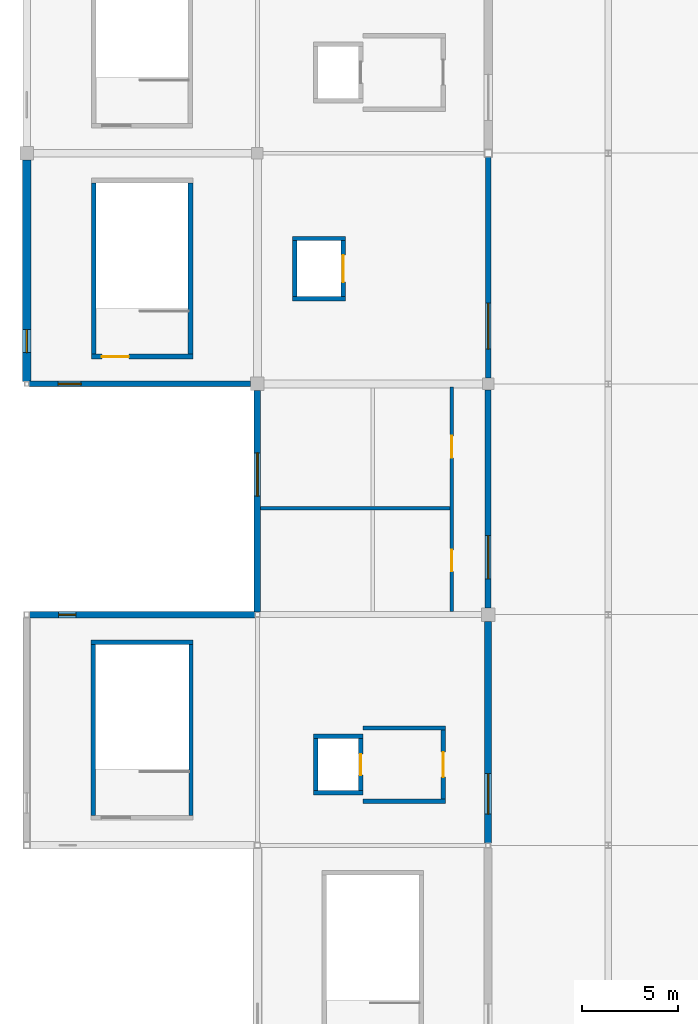
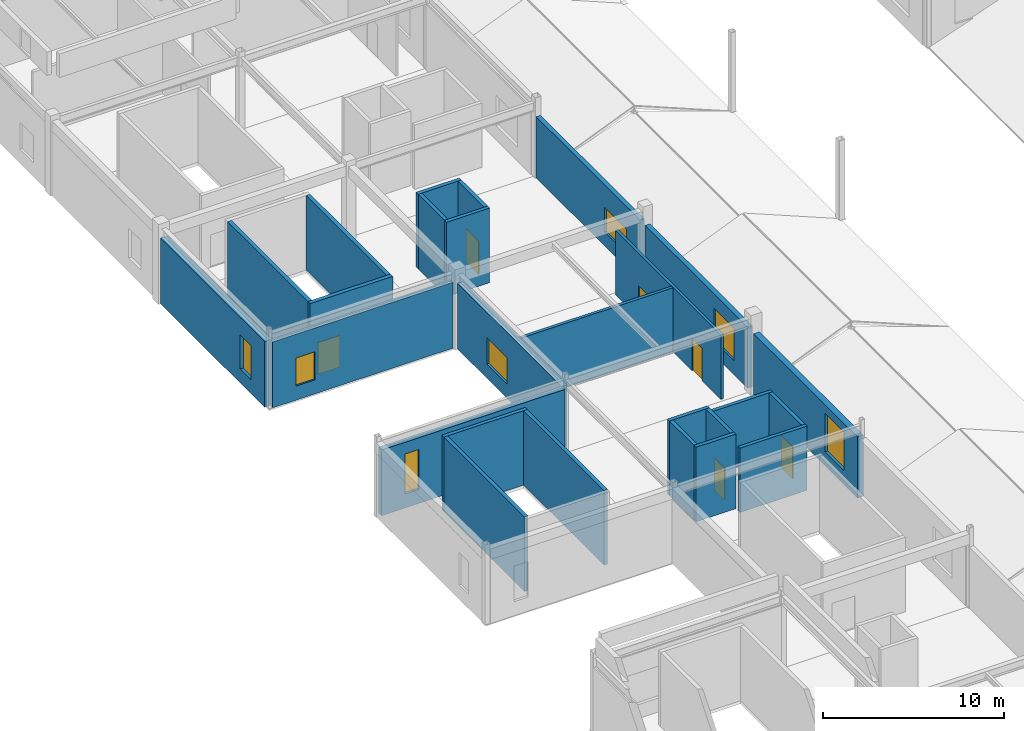
# One storey, part 65 of 76: 26 walls, 7 windows, 6 doors, 13 openings.
"""IFC4 building model written with IfcOpenShell, lengths in metres."""

from ifc_helpers import new_model, si_unit, direction, frame, frame_2d, origin, place, context, subcontext, project, spatial, rectangle, extrude, material, layer, layer_set, type_object, element, fill, save


model = new_model("IFC4")

# Units and contexts
model_context = context("Model", 3, precision=1e-05, world=origin(), true_north=direction((0.0, 1.0)))
body_context = subcontext(model_context, "Body", "Model", "MODEL_VIEW")
ifc_project = project(units=[si_unit("LENGTHUNIT", "METRE"), si_unit("AREAUNIT", "SQUARE_METRE"), si_unit("VOLUMEUNIT", "CUBIC_METRE"), si_unit("PLANEANGLEUNIT", "RADIAN"), si_unit("MASSUNIT", "GRAM", prefix="KILO")], contexts=[model_context])

# Site, building, storey
site_placement = place(None, origin())
site = spatial("IfcSite", under=ifc_project, at=site_placement, CompositionType="ELEMENT")
building_placement = place(site_placement, origin())
building = spatial("IfcBuilding", under=site, at=building_placement, Name="Kazenohara Klinker Stadium", CompositionType="ELEMENT")
storey_placement = place(building_placement, frame((0.0, 0.0, 25.800048828125)))
storey = spatial("IfcBuildingStorey", under=building, at=storey_placement, Name="L05", CompositionType="ELEMENT", Elevation=25.800048828125)

# Walls
ifc_material_1 = material(Name="Concrete C40/50", Category="concrete")
ifc_layer_1 = layer(ifc_material_1, 0.22998046875)
ifc_layer_set_1 = layer_set([ifc_layer_1], Name="Concrete C40/50")
wall_type_1 = type_object("IfcWallType", Name="WAL-CORE-230", PredefinedType="SHEAR", material=ifc_layer_set_1)
wall_1_placement = place(storey_placement, frame((3.340087890625, 118.56494140625, 0.0), z_axis=(0.0, 0.0, 1.0), x_axis=(1.0, 0.0, 0.0)))
element("IfcWall", 1, at=wall_1_placement, inside=storey, type_object=wall_type_1, Name="Stairwell shear wall ST04 L05 North", PredefinedType="SHEAR", context=body_context, shape_type="SweptSolid", body=[
    extrude(rectangle(XDim=5.31982421875, YDim=0.22998046875, at=frame_2d((2.659912109375, 0.0))), origin(), (0.0, 0.0, 1.0), 5.0400390625),
])
for number, where, z_axis, x_axis, name in (
    (2, (3.455078125, 109.550048828125, 0.0), (0.0, 0.0, 1.0), (0.0, 1.0, 0.0), "Stairwell shear wall ST04 L05 West"),
    (3, (8.544921875, 109.550048828125, 0.0), (0.0, 0.0, 1.0), (0.0, 1.0, 0.0), "Stairwell shear wall ST04 L05 East"),
):
    element("IfcWall", number, at=place(storey_placement, frame(where, z_axis=z_axis, x_axis=x_axis)), inside=storey, type_object=wall_type_1, Name=name, PredefinedType="SHEAR", context=body_context, shape_type="SweptSolid", body=[
        extrude(rectangle(XDim=8.89990234375, YDim=0.22998046875, at=frame_2d((4.449951171875, 0.0))), origin(), (0.0, 0.0, 1.0), 5.0400390625),
    ])
for number, where, z_axis, x_axis, name in (
    (4, (14.919921875, 110.735107421875, 0.0), (0.0, 0.0, 1.0), (1.0, 0.0, 0.0), "Elevator shaft wall LF02 L05 South"),
    (5, (14.919921875, 113.6650390625, 0.0), (0.0, 0.0, 1.0), (1.0, 0.0, 0.0), "Elevator shaft wall LF02 L05 North"),
):
    element("IfcWall", number, at=place(storey_placement, frame(where, z_axis=z_axis, x_axis=x_axis)), inside=storey, type_object=wall_type_1, Name=name, PredefinedType="SHEAR", context=body_context, shape_type="SweptSolid", body=[
        extrude(rectangle(XDim=2.56005859375, YDim=0.22998046875, at=frame_2d((1.280029296875, 0.0))), origin(), (0.0, 0.0, 1.0), 5.0400390625),
    ])
wall_2_placement = place(storey_placement, frame((15.034912109375, 110.85009765625, 0.0), z_axis=(0.0, 0.0, 1.0), x_axis=(0.0, 1.0, 0.0)))
element("IfcWall", 6, at=wall_2_placement, inside=storey, type_object=wall_type_1, Name="Elevator shaft wall LF02 L05 West", PredefinedType="SHEAR", context=body_context, shape_type="SweptSolid", body=[
    extrude(rectangle(XDim=2.699951171875, YDim=0.22998046875, at=frame_2d((1.35009765625, 0.0))), origin(), (0.0, 0.0, 1.0), 5.0400390625),
])

# Wall, opening, door
wall_3_placement = place(storey_placement, frame((17.364990234375, 110.85009765625, 0.0), z_axis=(0.0, 0.0, 1.0), x_axis=(0.0, 1.0, 0.0)))
wall_3 = element("IfcWall", 7, at=wall_3_placement, inside=storey, type_object=wall_type_1, Name="Elevator shaft wall LF02 L05 East", PredefinedType="SHEAR", context=body_context, shape_type="SweptSolid", body=[
    extrude(rectangle(XDim=2.699951171875, YDim=0.22998046875, at=frame_2d((1.35009765625, 0.0))), origin(), (0.0, 0.0, 1.0), 5.0400390625),
])
opening_1_placement = place(wall_3_placement, frame((0.800048828125, 0.0, 0.0)))
opening_1 = element("IfcOpeningElement", 8, at=opening_1_placement, cuts=wall_3, Name="Opening LD01", PredefinedType="OPENING", context=body_context, shape_type="SweptSolid", body=[
    extrude(rectangle(XDim=1.10009765625, YDim=2.14990234375, at=frame_2d((0.550048828125, 1.074951171875))), frame((0.0, 0.125, 0.0), z_axis=(0.0, -1.0, 0.0), x_axis=(1.0, 0.0, 0.0)), (0.0, 0.0, 1.0), 0.25),
])
ifc_material_2 = material(Name="Stainless steel fire-rated sliding landing door", Category="steel")
door_type_1 = type_object("IfcDoorType", Name="DR-LD01-1100x2150", OperationType="NOTDEFINED", PredefinedType="DOOR", material=ifc_material_2)
door_1_placement = place(opening_1_placement, origin())
door_1 = element("IfcDoor", 9, at=door_1_placement, inside=storey, type_object=door_type_1, Name="Elevator sliding landing door LF02-L05", OperationType="DOUBLE_DOOR_SLIDING", OverallHeight=2.14990234375, OverallWidth=1.10009765625, PredefinedType="DOOR", context=body_context, shape_type="SweptSolid", body=[
    extrude(rectangle(XDim=1.10009765625, YDim=2.14990234375, at=frame_2d((0.550048828125, 1.074951171875))), frame((0.0, 0.02490234375, 0.0), z_axis=(0.0, -1.0, 0.0), x_axis=(1.0, 0.0, 0.0)), (0.0, 0.0, 1.0), 0.050048828125),
])
fill(opening_1, door_1)

# Walls
for number, where, z_axis, x_axis, name in (
    (10, (13.820068359375, 136.43505859375, 0.0), (0.0, 0.0, 1.0), (1.0, 0.0, 0.0), "Elevator shaft wall LG01 L05 South"),
    (11, (13.820068359375, 139.56494140625, 0.0), (0.0, 0.0, 1.0), (1.0, 0.0, 0.0), "Elevator shaft wall LG01 L05 North"),
):
    element("IfcWall", number, at=place(storey_placement, frame(where, z_axis=z_axis, x_axis=x_axis)), inside=storey, type_object=wall_type_1, Name=name, PredefinedType="SHEAR", context=body_context, shape_type="SweptSolid", body=[
        extrude(rectangle(XDim=2.760009765625, YDim=0.22998046875, at=frame_2d((1.3798828125, 0.0))), origin(), (0.0, 0.0, 1.0), 5.0400390625),
    ])
wall_4_placement = place(storey_placement, frame((13.93505859375, 136.550048828125, 0.0), z_axis=(0.0, 0.0, 1.0), x_axis=(0.0, 1.0, 0.0)))
element("IfcWall", 12, at=wall_4_placement, inside=storey, type_object=wall_type_1, Name="Elevator shaft wall LG01 L05 West", PredefinedType="SHEAR", context=body_context, shape_type="SweptSolid", body=[
    extrude(rectangle(XDim=2.89990234375, YDim=0.22998046875, at=frame_2d((1.449951171875, 0.0))), origin(), (0.0, 0.0, 1.0), 5.0400390625),
])

# Wall, opening, door
wall_5_placement = place(storey_placement, frame((16.465087890625, 136.550048828125, 0.0), z_axis=(0.0, 0.0, 1.0), x_axis=(0.0, 1.0, 0.0)))
wall_5 = element("IfcWall", 13, at=wall_5_placement, inside=storey, type_object=wall_type_1, Name="Elevator shaft wall LG01 L05 East", PredefinedType="SHEAR", context=body_context, shape_type="SweptSolid", body=[
    extrude(rectangle(XDim=2.89990234375, YDim=0.22998046875, at=frame_2d((1.449951171875, 0.0))), origin(), (0.0, 0.0, 1.0), 5.0400390625),
])
opening_2_placement = place(wall_5_placement, frame((0.75, 0.0, 0.0)))
opening_2 = element("IfcOpeningElement", 14, at=opening_2_placement, cuts=wall_5, Name="Opening LD03", PredefinedType="OPENING", context=body_context, shape_type="SweptSolid", body=[
    extrude(rectangle(XDim=1.39990234375, YDim=2.25, at=frame_2d((0.699951171875, 1.125))), frame((0.0, 0.125, 0.0), z_axis=(0.0, -1.0, 0.0), x_axis=(1.0, 0.0, 0.0)), (0.0, 0.0, 1.0), 0.25),
])
ifc_material_3 = material(Name="Heavy-duty stainless steel sliding goods landing door", Category="steel")
door_type_2 = type_object("IfcDoorType", Name="DR-LD03-1400x2250", OperationType="NOTDEFINED", PredefinedType="DOOR", material=ifc_material_3)
door_2_placement = place(opening_2_placement, origin())
door_2 = element("IfcDoor", 15, at=door_2_placement, inside=storey, type_object=door_type_2, Name="Elevator sliding landing door LG01-L05", OperationType="DOUBLE_DOOR_SLIDING", OverallHeight=2.25, OverallWidth=1.39990234375, PredefinedType="DOOR", context=body_context, shape_type="SweptSolid", body=[
    extrude(rectangle(XDim=1.39990234375, YDim=2.25, at=frame_2d((0.699951171875, 1.125))), frame((0.0, 0.02490234375, 0.0), z_axis=(0.0, -1.0, 0.0), x_axis=(1.0, 0.0, 0.0)), (0.0, 0.0, 1.0), 0.050048828125),
])
fill(opening_2, door_2)

ifc_layer_2 = layer(ifc_material_1, 0.25)
ifc_layer_set_2 = layer_set([ifc_layer_2], Name="Concrete C40/50")
wall_type_2 = type_object("IfcWallType", Name="WAL-CORE-250", PredefinedType="SHEAR", material=ifc_layer_set_2)
wall_6_placement = place(storey_placement, frame((3.360107421875, 133.425048828125, 0.0), z_axis=(0.0, 0.0, 1.0), x_axis=(1.0, 0.0, 0.0)))
wall_6 = element("IfcWall", 16, at=wall_6_placement, inside=storey, type_object=wall_type_2, Name="Stairwell shear wall ST05 L05 South", PredefinedType="SHEAR", context=body_context, shape_type="SweptSolid", body=[
    extrude(rectangle(XDim=5.27978515625, YDim=0.25, at=frame_2d((2.639892578125, 0.0))), origin(), (0.0, 0.0, 1.0), 5.0400390625),
])
opening_3_placement = place(wall_6_placement, frame((0.550048828125, 0.0, 0.0)))
opening_3 = element("IfcOpeningElement", 17, at=opening_3_placement, cuts=wall_6, Name="Opening SD01", PredefinedType="OPENING", context=body_context, shape_type="SweptSolid", body=[
    extrude(rectangle(XDim=1.39990234375, YDim=2.14990234375, at=frame_2d((0.699951171875, 1.074951171875))), frame((0.0, 0.135009765625, 0.0), z_axis=(0.0, -1.0, 0.0), x_axis=(1.0, 0.0, 0.0)), (0.0, 0.0, 1.0), 0.27001953125),
])
ifc_material_4 = material(Name="Flush painted steel fire door leaf", Category="steel")
door_type_3 = type_object("IfcDoorType", Name="DR-STR-1400x2150", OperationType="NOTDEFINED", PredefinedType="DOOR", material=ifc_material_4)
door_3_placement = place(opening_3_placement, origin())
door_3 = element("IfcDoor", 18, at=door_3_placement, inside=storey, type_object=door_type_3, Name="Escape stairwell fire door ST05-L05", OperationType="SINGLE_SWING_LEFT", OverallHeight=2.14990234375, OverallWidth=1.39990234375, PredefinedType="DOOR", context=body_context, shape_type="SweptSolid", body=[
    extrude(rectangle(XDim=1.39990234375, YDim=2.14990234375, at=frame_2d((0.699951171875, 1.074951171875))), frame((0.0, 0.02490234375, 0.0), z_axis=(0.0, -1.0, 0.0), x_axis=(1.0, 0.0, 0.0)), (0.0, 0.0, 1.0), 0.050048828125),
])
fill(opening_3, door_3)

# Walls
for number, where, z_axis, x_axis, name in (
    (19, (3.485107421875, 133.550048828125, 0.0), (0.0, 0.0, 1.0), (0.0, 1.0, 0.0), "Stairwell shear wall ST05 L05 West"),
    (20, (8.514892578125, 133.550048828125, 0.0), (0.0, 0.0, 1.0), (0.0, 1.0, 0.0), "Stairwell shear wall ST05 L05 East"),
):
    element("IfcWall", number, at=place(storey_placement, frame(where, z_axis=z_axis, x_axis=x_axis)), inside=storey, type_object=wall_type_2, Name=name, PredefinedType="SHEAR", context=body_context, shape_type="SweptSolid", body=[
        extrude(rectangle(XDim=8.89990234375, YDim=0.25, at=frame_2d((4.449951171875, 0.0))), origin(), (0.0, 0.0, 1.0), 5.0400390625),
    ])

# Wall, opening, window
ifc_material_5 = material(Name="Clinker brick masonry", Category="masonry")
ifc_layer_3 = layer(ifc_material_5, 0.280029296875)
ifc_layer_set_3 = layer_set([ifc_layer_3], Name="Clinker brick masonry")
wall_type_3 = type_object("IfcWallType", Name="WAL-EXT-CB280", PredefinedType="SOLIDWALL", material=ifc_layer_set_3)
wall_7_placement = place(storey_placement, frame((0.12890625, 132.0, 0.0), z_axis=(0.0, 0.0, 1.0), x_axis=(1.0, 0.0, 0.0)))
wall_7 = element("IfcWall", 21, at=wall_7_placement, inside=storey, type_object=wall_type_3, Name="Clinker brick cavity wall EW06 L05 X0-11", PredefinedType="SOLIDWALL", context=body_context, shape_type="SweptSolid", body=[
    extrude(rectangle(XDim=11.51708984375, YDim=0.280029296875, at=frame_2d((5.758544921875, 0.0))), origin(), (0.0, 0.0, 1.0), 4.451904296875),
])
opening_4_placement = place(wall_7_placement, frame((1.5, 0.0, 0.949951171875)))
opening_4 = element("IfcOpeningElement", 22, at=opening_4_placement, cuts=wall_7, Name="Opening W05", PredefinedType="OPENING", context=body_context, shape_type="SweptSolid", body=[
    extrude(rectangle(XDim=1.199951171875, YDim=1.89990234375, at=frame_2d((0.60009765625, 0.949951171875))), frame((0.0, 0.14990234375, 0.0), z_axis=(0.0, -1.0, 0.0), x_axis=(1.0, 0.0, 0.0)), (0.0, 0.0, 1.0), 0.300048828125),
])
ifc_material_6 = material(Name="Dark bronze aluminium frame and triple glazing", Category="aluminium")
window_type_1 = type_object("IfcWindowType", Name="WIN-AS-05", PartitioningType="SINGLE_PANEL", PredefinedType="WINDOW", material=ifc_material_6)
window_1_placement = place(opening_4_placement, origin())
window_1 = element("IfcWindow", 23, at=window_1_placement, inside=storey, type_object=window_type_1, Name="Horizontal-mullion ladder window W05 L05 X0-11", OverallHeight=1.89990234375, OverallWidth=1.199951171875, PartitioningType="SINGLE_PANEL", PredefinedType="WINDOW", context=body_context, shape_type="SweptSolid", body=[
    extrude(rectangle(XDim=1.199951171875, YDim=1.89990234375, at=frame_2d((0.60009765625, 0.949951171875))), frame((0.0, 0.030029296875, 0.0), z_axis=(0.0, -1.0, 0.0), x_axis=(1.0, 0.0, 0.0)), (0.0, 0.0, 1.0), 0.06005859375),
])
fill(opening_4, window_1)

wall_8_placement = place(storey_placement, frame((24.0, 132.303955078125, 0.0), z_axis=(0.0, 0.0, 1.0), x_axis=(0.0, 1.0, 0.0)))
wall_8 = element("IfcWall", 24, at=wall_8_placement, inside=storey, type_object=wall_type_3, Name="Clinker brick cavity wall EW06 L05 Y2-11", PredefinedType="SOLIDWALL", context=body_context, shape_type="SweptSolid", body=[
    extrude(rectangle(XDim=11.491943359375, YDim=0.280029296875, at=frame_2d((5.74609375, 0.0))), origin(), (0.0, 0.0, 1.0), 4.1298828125),
])
opening_5_placement = place(wall_8_placement, frame((1.5, 0.0, 0.949951171875)))
opening_5 = element("IfcOpeningElement", 25, at=opening_5_placement, cuts=wall_8, Name="Opening W23", PredefinedType="OPENING", context=body_context, shape_type="SweptSolid", body=[
    extrude(rectangle(XDim=2.39990234375, YDim=1.64990234375, at=frame_2d((1.199951171875, 0.824951171875))), frame((0.0, 0.14990234375, 0.0), z_axis=(0.0, -1.0, 0.0), x_axis=(1.0, 0.0, 0.0)), (0.0, 0.0, 1.0), 0.300048828125),
])
window_type_2 = type_object("IfcWindowType", Name="WIN-AS-23", PartitioningType="SINGLE_PANEL", PredefinedType="WINDOW", material=ifc_material_6)
window_2_placement = place(opening_5_placement, origin())
window_2 = element("IfcWindow", 26, at=window_2_placement, inside=storey, type_object=window_type_2, Name="Horizontal-mullion ladder window W23 L05 Y2-11", OverallHeight=1.64990234375, OverallWidth=2.39990234375, PartitioningType="SINGLE_PANEL", PredefinedType="WINDOW", context=body_context, shape_type="SweptSolid", body=[
    extrude(rectangle(XDim=2.39990234375, YDim=1.64990234375, at=frame_2d((1.199951171875, 0.824951171875))), frame((0.0, 0.030029296875, 0.0), z_axis=(0.0, -1.0, 0.0), x_axis=(1.0, 0.0, 0.0)), (0.0, 0.0, 1.0), 0.06005859375),
])
fill(opening_5, window_2)

ifc_layer_4 = layer(ifc_material_5, 0.31005859375)
ifc_layer_set_4 = layer_set([ifc_layer_4], Name="Clinker brick masonry")
wall_type_4 = type_object("IfcWallType", Name="WAL-EXT-CB310", PredefinedType="SOLIDWALL", material=ifc_layer_set_4)
wall_9_placement = place(storey_placement, frame((24.0, 120.35400390625, 0.0), z_axis=(0.0, 0.0, 1.0), x_axis=(0.0, 1.0, 0.0)))
wall_9 = element("IfcWall", 27, at=wall_9_placement, inside=storey, type_object=wall_type_4, Name="Clinker brick cavity wall EW05 L05 Y2-10", PredefinedType="SOLIDWALL", context=body_context, shape_type="SweptSolid", body=[
    extrude(rectangle(XDim=11.342041015625, YDim=0.31005859375, at=frame_2d((5.6708984375, 0.0))), origin(), (0.0, 0.0, 1.0), 4.1298828125),
])
opening_6_placement = place(wall_9_placement, frame((1.5, 0.0, 0.949951171875)))
opening_6 = element("IfcOpeningElement", 28, at=opening_6_placement, cuts=wall_9, Name="Opening W22", PredefinedType="OPENING", context=body_context, shape_type="SweptSolid", body=[
    extrude(rectangle(XDim=2.25, YDim=2.199951171875, at=frame_2d((1.125, 1.10009765625))), frame((0.0, 0.1650390625, 0.0), z_axis=(0.0, -1.0, 0.0), x_axis=(1.0, 0.0, 0.0)), (0.0, 0.0, 1.0), 0.330078125),
])
window_type_3 = type_object("IfcWindowType", Name="WIN-AS-22", PartitioningType="SINGLE_PANEL", PredefinedType="WINDOW", material=ifc_material_6)
window_3_placement = place(opening_6_placement, origin())
window_3 = element("IfcWindow", 29, at=window_3_placement, inside=storey, type_object=window_type_3, Name="Horizontal-mullion ladder window W22 L05 Y2-10", OverallHeight=2.199951171875, OverallWidth=2.25, PartitioningType="SINGLE_PANEL", PredefinedType="WINDOW", context=body_context, shape_type="SweptSolid", body=[
    extrude(rectangle(XDim=2.25, YDim=2.199951171875, at=frame_2d((1.125, 1.10009765625))), frame((0.0, 0.030029296875, 0.0), z_axis=(0.0, -1.0, 0.0), x_axis=(1.0, 0.0, 0.0)), (0.0, 0.0, 1.0), 0.06005859375),
])
fill(opening_6, window_3)

ifc_layer_5 = layer(ifc_material_5, 0.340087890625)
ifc_layer_set_5 = layer_set([ifc_layer_5], Name="Clinker brick masonry")
wall_type_5 = type_object("IfcWallType", Name="WAL-EXT-CB340", PredefinedType="SOLIDWALL", material=ifc_layer_set_5)
wall_10_placement = place(storey_placement, frame((0.154052734375, 120.0, 0.0), z_axis=(0.0, 0.0, 1.0), x_axis=(1.0, 0.0, 0.0)))
wall_10 = element("IfcWall", 30, at=wall_10_placement, inside=storey, type_object=wall_type_5, Name="Clinker brick cavity wall EW04 L05 X0-10", PredefinedType="SOLIDWALL", context=body_context, shape_type="SweptSolid", body=[
    extrude(rectangle(XDim=11.717041015625, YDim=0.340087890625, at=frame_2d((5.8583984375, 0.0))), origin(), (0.0, 0.0, 1.0), 4.43994140625),
])
opening_7_placement = place(wall_10_placement, frame((1.5, 0.0, 0.949951171875)))
opening_7 = element("IfcOpeningElement", 31, at=opening_7_placement, cuts=wall_10, Name="Opening W03", PredefinedType="OPENING", context=body_context, shape_type="SweptSolid", body=[
    extrude(rectangle(XDim=0.89990234375, YDim=2.699951171875, at=frame_2d((0.449951171875, 1.35009765625))), frame((0.0, 0.18017578125, 0.0), z_axis=(0.0, -1.0, 0.0), x_axis=(1.0, 0.0, 0.0)), (0.0, 0.0, 1.0), 0.360107421875),
])
window_type_4 = type_object("IfcWindowType", Name="WIN-AS-03", PartitioningType="SINGLE_PANEL", PredefinedType="WINDOW", material=ifc_material_6)
window_4_placement = place(opening_7_placement, origin())
window_4 = element("IfcWindow", 32, at=window_4_placement, inside=storey, type_object=window_type_4, Name="Horizontal-mullion ladder window W03 L05 X0-10", OverallHeight=2.699951171875, OverallWidth=0.89990234375, PartitioningType="SINGLE_PANEL", PredefinedType="WINDOW", context=body_context, shape_type="SweptSolid", body=[
    extrude(rectangle(XDim=0.89990234375, YDim=2.699951171875, at=frame_2d((0.449951171875, 1.35009765625))), frame((0.0, 0.030029296875, 0.0), z_axis=(0.0, -1.0, 0.0), x_axis=(1.0, 0.0, 0.0)), (0.0, 0.0, 1.0), 0.06005859375),
])
fill(opening_7, window_4)

wall_11_placement = place(storey_placement, frame((12.0, 120.12890625, 0.0), z_axis=(0.0, 0.0, 1.0), x_axis=(0.0, 1.0, 0.0)))
wall_11 = element("IfcWall", 33, at=wall_11_placement, inside=storey, type_object=wall_type_5, Name="Clinker brick cavity wall EW04 L05 Y1-10", PredefinedType="SOLIDWALL", context=body_context, shape_type="SweptSolid", body=[
    extrude(rectangle(XDim=11.51708984375, YDim=0.340087890625, at=frame_2d((5.758544921875, 0.0))), origin(), (0.0, 0.0, 1.0), 4.451904296875),
])
opening_8_placement = place(wall_11_placement, frame((6.03369140625, 0.0, 0.949951171875)))
opening_8 = element("IfcOpeningElement", 34, at=opening_8_placement, cuts=wall_11, Name="Opening W21", PredefinedType="OPENING", context=body_context, shape_type="SweptSolid", body=[
    extrude(rectangle(XDim=2.25, YDim=1.800048828125, at=frame_2d((1.125, 0.89990234375))), frame((0.0, 0.18017578125, 0.0), z_axis=(0.0, -1.0, 0.0), x_axis=(1.0, 0.0, 0.0)), (0.0, 0.0, 1.0), 0.360107421875),
])
window_type_5 = type_object("IfcWindowType", Name="WIN-AS-21", PartitioningType="SINGLE_PANEL", PredefinedType="WINDOW", material=ifc_material_6)
window_5_placement = place(opening_8_placement, origin())
window_5 = element("IfcWindow", 35, at=window_5_placement, inside=storey, type_object=window_type_5, Name="Horizontal-mullion ladder window W21 L05 Y1-10", OverallHeight=1.800048828125, OverallWidth=2.25, PartitioningType="SINGLE_PANEL", PredefinedType="WINDOW", context=body_context, shape_type="SweptSolid", body=[
    extrude(rectangle(XDim=2.25, YDim=1.800048828125, at=frame_2d((1.125, 0.89990234375))), frame((0.0, 0.030029296875, 0.0), z_axis=(0.0, -1.0, 0.0), x_axis=(1.0, 0.0, 0.0)), (0.0, 0.0, 1.0), 0.06005859375),
])
fill(opening_8, window_5)

ifc_layer_6 = layer(ifc_material_5, 0.3701171875)
ifc_layer_set_6 = layer_set([ifc_layer_6], Name="Clinker brick masonry")
wall_type_6 = type_object("IfcWallType", Name="WAL-EXT-CB370", PredefinedType="SOLIDWALL", material=ifc_layer_set_6)
wall_12_placement = place(storey_placement, frame((24.0, 108.12890625, 0.0), z_axis=(0.0, 0.0, 1.0), x_axis=(0.0, 1.0, 0.0)))
wall_12 = element("IfcWall", 36, at=wall_12_placement, inside=storey, type_object=wall_type_6, Name="Clinker brick cavity wall EW03 L05 Y2-9", PredefinedType="SOLIDWALL", context=body_context, shape_type="SweptSolid", body=[
    extrude(rectangle(XDim=11.51708984375, YDim=0.3701171875, at=frame_2d((5.758544921875, 0.0))), origin(), (0.0, 0.0, 1.0), 4.1298828125),
])
opening_9_placement = place(wall_12_placement, frame((1.5, 0.0, 0.949951171875)))
opening_9 = element("IfcOpeningElement", 37, at=opening_9_placement, cuts=wall_12, Name="Opening W20", PredefinedType="OPENING", context=body_context, shape_type="SweptSolid", body=[
    extrude(rectangle(XDim=2.10009765625, YDim=2.60009765625, at=frame_2d((1.050048828125, 1.300048828125))), frame((0.0, 0.195068359375, 0.0), z_axis=(0.0, -1.0, 0.0), x_axis=(1.0, 0.0, 0.0)), (0.0, 0.0, 1.0), 0.39013671875),
])
window_type_6 = type_object("IfcWindowType", Name="WIN-AS-20", PartitioningType="SINGLE_PANEL", PredefinedType="WINDOW", material=ifc_material_6)
window_6_placement = place(opening_9_placement, origin())
window_6 = element("IfcWindow", 38, at=window_6_placement, inside=storey, type_object=window_type_6, Name="Horizontal-mullion ladder window W20 L05 Y2-9", OverallHeight=2.60009765625, OverallWidth=2.10009765625, PartitioningType="SINGLE_PANEL", PredefinedType="WINDOW", context=body_context, shape_type="SweptSolid", body=[
    extrude(rectangle(XDim=2.10009765625, YDim=2.60009765625, at=frame_2d((1.050048828125, 1.300048828125))), frame((0.0, 0.030029296875, 0.0), z_axis=(0.0, -1.0, 0.0), x_axis=(1.0, 0.0, 0.0)), (0.0, 0.0, 1.0), 0.06005859375),
])
fill(opening_9, window_6)

ifc_layer_7 = layer(ifc_material_5, 0.449951171875)
ifc_layer_set_7 = layer_set([ifc_layer_7], Name="Clinker brick masonry")
wall_type_7 = type_object("IfcWallType", Name="WAL-EXT-CB450", PredefinedType="SOLIDWALL", material=ifc_layer_set_7)
wall_13_placement = place(storey_placement, frame((0.0, 132.12890625, 0.0), z_axis=(0.0, 0.0, 1.0), x_axis=(0.0, 1.0, 0.0)))
wall_13 = element("IfcWall", 39, at=wall_13_placement, inside=storey, type_object=wall_type_7, Name="Clinker brick cavity wall EW01 L05 Y0-11", PredefinedType="SOLIDWALL", context=body_context, shape_type="SweptSolid", body=[
    extrude(rectangle(XDim=11.51708984375, YDim=0.449951171875, at=frame_2d((5.758544921875, 0.0))), origin(), (0.0, 0.0, 1.0), 4.451904296875),
])
opening_10_placement = place(wall_13_placement, frame((1.5, 0.0, 0.949951171875)))
opening_10 = element("IfcOpeningElement", 40, at=opening_10_placement, cuts=wall_13, Name="Opening W06", PredefinedType="OPENING", context=body_context, shape_type="SweptSolid", body=[
    extrude(rectangle(XDim=1.199951171875, YDim=2.300048828125, at=frame_2d((0.60009765625, 1.14990234375))), frame((0.0, 0.23486328125, 0.0), z_axis=(0.0, -1.0, 0.0), x_axis=(1.0, 0.0, 0.0)), (0.0, 0.0, 1.0), 0.469970703125),
])
window_type_7 = type_object("IfcWindowType", Name="WIN-AS-06", PartitioningType="SINGLE_PANEL", PredefinedType="WINDOW", material=ifc_material_6)
window_7_placement = place(opening_10_placement, origin())
window_7 = element("IfcWindow", 41, at=window_7_placement, inside=storey, type_object=window_type_7, Name="Horizontal-mullion ladder window W06 L05 Y0-11", OverallHeight=2.300048828125, OverallWidth=1.199951171875, PartitioningType="SINGLE_PANEL", PredefinedType="WINDOW", context=body_context, shape_type="SweptSolid", body=[
    extrude(rectangle(XDim=1.199951171875, YDim=2.300048828125, at=frame_2d((0.60009765625, 1.14990234375))), frame((0.0, 0.030029296875, 0.0), z_axis=(0.0, -1.0, 0.0), x_axis=(1.0, 0.0, 0.0)), (0.0, 0.0, 1.0), 0.06005859375),
])
fill(opening_10, window_7)

# Walls
ifc_layer_8 = layer(ifc_material_1, 0.219970703125)
ifc_layer_set_8 = layer_set([ifc_layer_8], Name="Concrete C40/50")
wall_type_8 = type_object("IfcWallType", Name="WAL-INT-FF220", PredefinedType="SOLIDWALL", material=ifc_layer_set_8)
for number, where, z_axis, x_axis, name in (
    (42, (17.47998046875, 110.2900390625, 0.0), (0.0, 0.0, 1.0), (1.0, 0.0, 0.0), "Firefighting lobby wall LF02 L05 South"),
    (43, (17.47998046875, 114.110107421875, 0.0), (0.0, 0.0, 1.0), (1.0, 0.0, 0.0), "Firefighting lobby wall LF02 L05 North"),
):
    element("IfcWall", number, at=place(storey_placement, frame(where, z_axis=z_axis, x_axis=x_axis)), inside=storey, type_object=wall_type_8, Name=name, PredefinedType="SOLIDWALL", context=body_context, shape_type="SweptSolid", body=[
        extrude(rectangle(XDim=4.2900390625, YDim=0.219970703125, at=frame_2d((2.14501953125, 0.0))), origin(), (0.0, 0.0, 1.0), 4.349853515625),
    ])

# Wall, opening, door
wall_14_placement = place(storey_placement, frame((21.659912109375, 110.39990234375, 0.0), z_axis=(0.0, 0.0, 1.0), x_axis=(0.0, 1.0, 0.0)))
wall_14 = element("IfcWall", 44, at=wall_14_placement, inside=storey, type_object=wall_type_8, Name="Firefighting lobby front wall LF02 L05", PredefinedType="SOLIDWALL", context=body_context, shape_type="SweptSolid", body=[
    extrude(rectangle(XDim=3.60009765625, YDim=0.219970703125, at=frame_2d((1.800048828125, 0.0))), origin(), (0.0, 0.0, 1.0), 4.349853515625),
])
opening_11_placement = place(wall_14_placement, frame((1.14990234375, 0.0, 0.0)))
opening_11 = element("IfcOpeningElement", 45, at=opening_11_placement, cuts=wall_14, Name="Opening FD01", PredefinedType="OPENING", context=body_context, shape_type="SweptSolid", body=[
    extrude(rectangle(XDim=1.300048828125, YDim=2.14990234375, at=frame_2d((0.64990234375, 1.074951171875))), frame((0.0, 0.1201171875, 0.0), z_axis=(0.0, -1.0, 0.0), x_axis=(1.0, 0.0, 0.0)), (0.0, 0.0, 1.0), 0.239990234375),
])
ifc_material_7 = material(Name="Smoke-sealed steel fire lobby door", Category="steel")
door_type_4 = type_object("IfcDoorType", Name="DR-FFL-1300x2150", OperationType="NOTDEFINED", PredefinedType="DOOR", material=ifc_material_7)
door_4_placement = place(opening_11_placement, origin())
door_4 = element("IfcDoor", 46, at=door_4_placement, inside=storey, type_object=door_type_4, Name="Firefighting lobby smoke-sealed door LF02-L05", OperationType="SINGLE_SWING_RIGHT", OverallHeight=2.14990234375, OverallWidth=1.300048828125, PredefinedType="DOOR", context=body_context, shape_type="SweptSolid", body=[
    extrude(rectangle(XDim=1.300048828125, YDim=2.14990234375, at=frame_2d((0.64990234375, 1.074951171875))), frame((0.0, 0.02490234375, 0.0), z_axis=(0.0, -1.0, 0.0), x_axis=(1.0, 0.0, 0.0)), (0.0, 0.0, 1.0), 0.050048828125),
])
fill(opening_11, door_4)

# Wall, openings, doors
ifc_material_8 = material(Name="Fire-rated gypsum board on acoustic studs", Category="gypsum")
ifc_layer_9 = layer(ifc_material_8, 0.169921875)
ifc_layer_set_9 = layer_set([ifc_layer_9], Name="Fire-rated gypsum board on acoustic studs")
wall_type_9 = type_object("IfcWallType", Name="WAL-INT-P170", PredefinedType="PARTITIONING", material=ifc_layer_set_9)
wall_15_placement = place(storey_placement, frame((22.110107421875, 120.159912109375, 0.0), z_axis=(0.0, 0.0, 1.0), x_axis=(0.0, 1.0, 0.0)))
wall_15 = element("IfcWall", 47, at=wall_15_placement, inside=storey, type_object=wall_type_9, Name="Interior partition wall PT05 SPC-L05-01-10-1-1", PredefinedType="PARTITIONING", context=body_context, shape_type="SweptSolid", body=[
    extrude(rectangle(XDim=11.68017578125, YDim=0.169921875, at=frame_2d((5.840087890625, 0.0))), origin(), (0.0, 0.0, 1.0), 4.349853515625),
])
opening_12_placement = place(wall_15_placement, frame((2.08642578125, 0.0, 0.0)))
opening_12 = element("IfcOpeningElement", 48, at=opening_12_placement, cuts=wall_15, Name="Opening ID09", PredefinedType="OPENING", context=body_context, shape_type="SweptSolid", body=[
    extrude(rectangle(XDim=1.1201171875, YDim=2.179931640625, at=frame_2d((0.56005859375, 1.08984375))), frame((0.0, 0.094970703125, 0.0), z_axis=(0.0, -1.0, 0.0), x_axis=(1.0, 0.0, 0.0)), (0.0, 0.0, 1.0), 0.18994140625),
])
opening_13_placement = place(wall_15_placement, frame((7.991455078125, 0.0, 0.0)))
opening_13 = element("IfcOpeningElement", 49, at=opening_13_placement, cuts=wall_15, Name="Opening ID10", PredefinedType="OPENING", context=body_context, shape_type="SweptSolid", body=[
    extrude(rectangle(XDim=1.14990234375, YDim=2.14990234375, at=frame_2d((0.574951171875, 1.074951171875))), frame((0.0, 0.094970703125, 0.0), z_axis=(0.0, -1.0, 0.0), x_axis=(1.0, 0.0, 0.0)), (0.0, 0.0, 1.0), 0.18994140625),
])
ifc_material_9 = material(Name="Solid-core Hokkaido oak fire door", Category="wood")
door_type_5 = type_object("IfcDoorType", Name="DR-INT-09", OperationType="NOTDEFINED", PredefinedType="DOOR", material=ifc_material_9)
door_5_placement = place(opening_12_placement, origin())
door_5 = element("IfcDoor", 50, at=door_5_placement, inside=storey, type_object=door_type_5, Name="Interior door ID09 Bowl Lighting and Acoustic Control Studio L05-0110A", OperationType="SINGLE_SWING_RIGHT", OverallHeight=2.179931640625, OverallWidth=1.1201171875, PredefinedType="DOOR", context=body_context, shape_type="SweptSolid", body=[
    extrude(rectangle(XDim=1.1201171875, YDim=2.179931640625, at=frame_2d((0.56005859375, 1.08984375))), frame((0.0, 0.02490234375, 0.0), z_axis=(0.0, -1.0, 0.0), x_axis=(1.0, 0.0, 0.0)), (0.0, 0.0, 1.0), 0.050048828125),
])
fill(opening_12, door_5)
door_type_6 = type_object("IfcDoorType", Name="DR-INT-10", OperationType="NOTDEFINED", PredefinedType="DOOR", material=ifc_material_9)
door_6_placement = place(opening_13_placement, origin())
door_6 = element("IfcDoor", 51, at=door_6_placement, inside=storey, type_object=door_type_6, Name="Interior door ID10 Television Broadcast Production Studio L05-0110B", OperationType="SINGLE_SWING_LEFT", OverallHeight=2.14990234375, OverallWidth=1.14990234375, PredefinedType="DOOR", context=body_context, shape_type="SweptSolid", body=[
    extrude(rectangle(XDim=1.14990234375, YDim=2.14990234375, at=frame_2d((0.574951171875, 1.074951171875))), frame((0.0, 0.02490234375, 0.0), z_axis=(0.0, -1.0, 0.0), x_axis=(1.0, 0.0, 0.0)), (0.0, 0.0, 1.0), 0.050048828125),
])
fill(opening_13, door_6)

# Wall
ifc_layer_10 = layer(ifc_material_8, 0.18994140625)
ifc_layer_set_10 = layer_set([ifc_layer_10], Name="Fire-rated gypsum board on acoustic studs")
wall_type_10 = type_object("IfcWallType", Name="WAL-INT-P190", PredefinedType="PARTITIONING", material=ifc_layer_set_10)
wall_16_placement = place(storey_placement, frame((12.172119140625, 125.53271484375, 0.0), z_axis=(0.0, 0.0, 1.0), x_axis=(1.0, 0.0, 0.0)))
element("IfcWall", 52, at=wall_16_placement, inside=storey, type_object=wall_type_10, Name="Interior partition wall PT06 SPC-L05-01-10-1-2", PredefinedType="PARTITIONING", context=body_context, shape_type="SweptSolid", body=[
    extrude(rectangle(XDim=9.847900390625, YDim=0.18994140625, at=frame_2d((4.923828125, 0.0))), origin(), (0.0, 0.0, 1.0), 4.349853515625),
])

save(model, "model.ifc")
